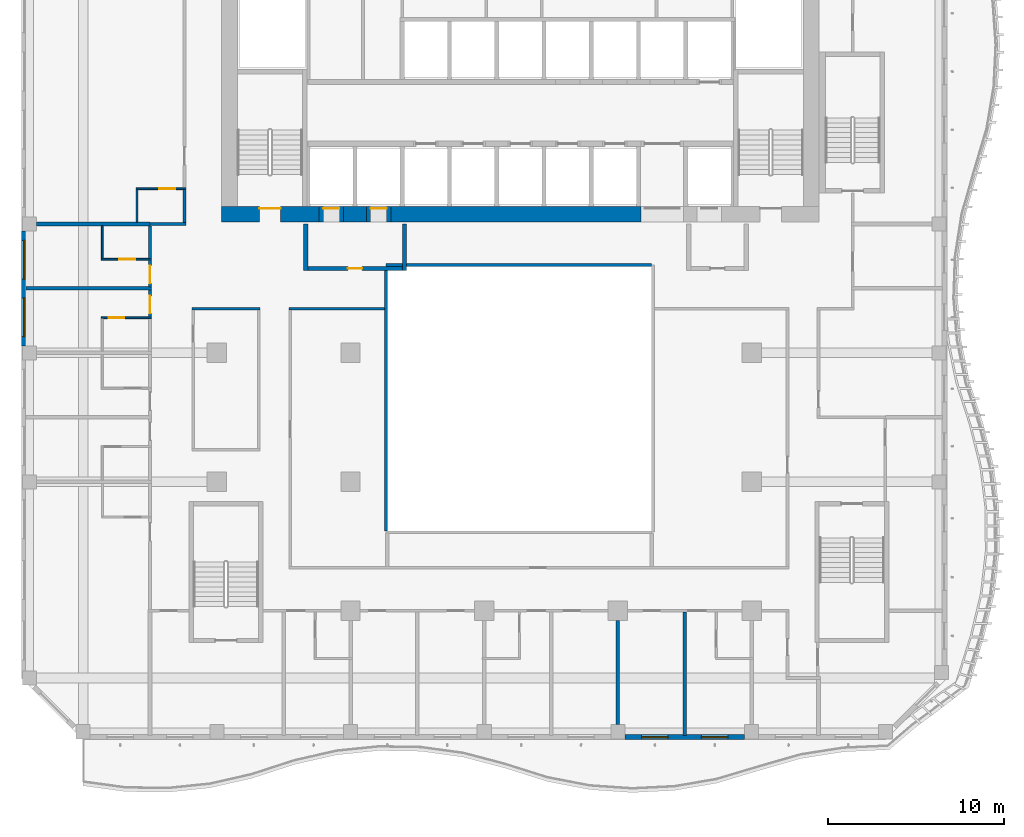
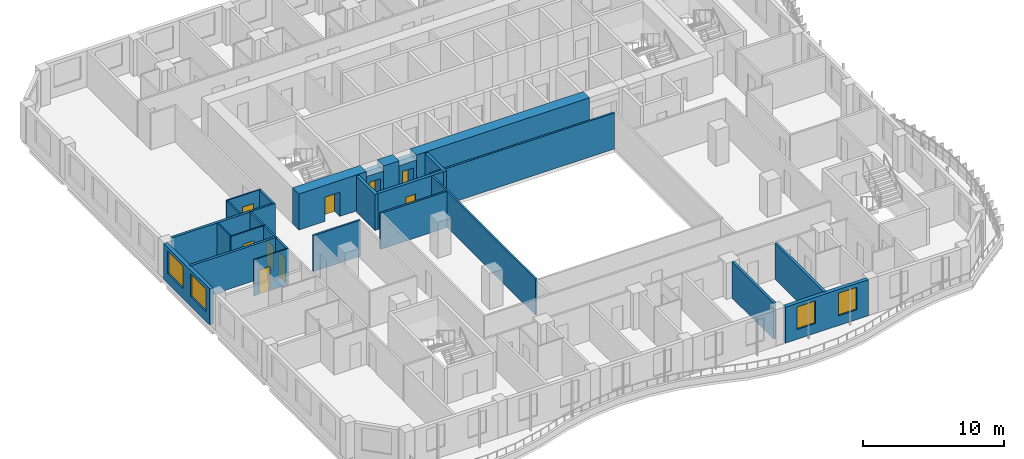
# One storey, part 4 of 22: 28 walls, 9 doors, 4 windows, 13 openings.
"""IFC4 building model written with IfcOpenShell, lengths in metres."""

import ifcopenshell
import ifcopenshell.guid

model = None  # the IFC model being written
_history = None  # IfcOwnerHistory: only IFC2X3 demands one
_inside = {}  # id of a spatial element -> (the spatial element, [elements in it])
_under = {}  # id of a project, library or spatial element -> (it, [spatial elements below it])
_declared = {}  # id of a project -> (the project, [libraries it declares])
_typed = {}  # id of a type object -> (the type object, [elements of that type])
_made_of = {}  # id of a material, layer set ... -> (it, [elements and type objects made of it])


def new_model(schema):
    """Start an empty IFC model of exactly this schema.

    Asked for "IFC4X3", IfcOpenShell would pick the latest addendum, in which some entities
    have other attributes; the version numbers below select the first issue.
    IFC2X3 requires an IfcOwnerHistory on every rooted entity: one is made here for all.
    """
    global model, _history
    if schema == "IFC4X3":
        model = ifcopenshell.file(schema_version=(4, 3, 0, 0))
    else:
        model = ifcopenshell.file(schema=schema)
    _inside.clear()
    _under.clear()
    _declared.clear()
    _typed.clear()
    _made_of.clear()
    _history = None
    if model.schema == "IFC2X3":
        org = make("IfcOrganization", Name="unknown")
        user = make(
            "IfcPersonAndOrganization",
            ThePerson=make("IfcPerson", FamilyName="unknown"),
            TheOrganization=org,
        )
        app = make(
            "IfcApplication",
            ApplicationDeveloper=org,
            Version="unknown",
            ApplicationFullName="unknown",
            ApplicationIdentifier="unknown",
        )
        _history = make(
            "IfcOwnerHistory",
            OwningUser=user,
            OwningApplication=app,
            ChangeAction="ADDED",
            CreationDate=0,
        )
    return model


def make(cls, **values):
    """One entity of the class cls with the attributes given. An attribute that is None is left unset."""
    return model.create_entity(
        cls, **{name: value for name, value in values.items() if value is not None}
    )


def rooted(cls, **values):
    """An entity with a GlobalId (a new one), such as an element, a storey or a relation."""
    return make(cls, GlobalId=ifcopenshell.guid.new(), OwnerHistory=_history, **values)


def si_unit(unit_type, name, prefix=None):
    """IfcSIUnit, for example si_unit("LENGTHUNIT", "METRE", prefix="MILLI")."""
    return make("IfcSIUnit", UnitType=unit_type, Prefix=prefix, Name=name)


def assignment(units):
    """IfcUnitAssignment: the units of a project."""
    return None if units is None else make("IfcUnitAssignment", Units=units)


def point(xyz):
    """IfcCartesianPoint."""
    return None if xyz is None else make("IfcCartesianPoint", Coordinates=xyz)


def direction(xyz):
    """IfcDirection."""
    return None if xyz is None else make("IfcDirection", DirectionRatios=xyz)


def frame(location, z_axis=None, x_axis=None):
    """IfcAxis2Placement3D, a coordinate frame: its origin and axes. An axis left out is left unset."""
    return make(
        "IfcAxis2Placement3D",
        Location=point(location),
        Axis=direction(z_axis),
        RefDirection=direction(x_axis),
    )


def frame_2d(location, x_axis=None):
    """IfcAxis2Placement2D, a coordinate frame in the plane: its origin and x axis."""
    return make(
        "IfcAxis2Placement2D", Location=point(location), RefDirection=direction(x_axis)
    )


def origin():
    """The frame at (0, 0, 0) with its axes left unset."""
    return frame((0.0, 0.0, 0.0))


def place(relative_to, where):
    """IfcLocalPlacement: puts the frame where relative to a parent placement (None: the world)."""
    return make(
        "IfcLocalPlacement", PlacementRelTo=relative_to, RelativePlacement=where
    )


def context(
    kind, dimensions, precision=None, world=None, true_north=None, identifier=None
):
    """IfcGeometricRepresentationContext, for example the 3D "Model" context."""
    return make(
        "IfcGeometricRepresentationContext",
        ContextIdentifier=identifier,
        ContextType=kind,
        CoordinateSpaceDimension=dimensions,
        Precision=precision,
        WorldCoordinateSystem=world,
        TrueNorth=true_north,
    )


def subcontext(parent, identifier, kind, view, scale=None):
    """IfcGeometricRepresentationSubContext, for example "Body" below "Model"."""
    return make(
        "IfcGeometricRepresentationSubContext",
        ContextIdentifier=identifier,
        ContextType=kind,
        ParentContext=parent,
        TargetScale=scale,
        TargetView=view,
    )


def project(units=None, contexts=None):
    """IfcProject with its units and contexts."""
    return rooted(
        "IfcProject",
        Name="project",
        RepresentationContexts=contexts,
        UnitsInContext=assignment(units),
    )


def spatial(cls, under=None, at=None, **own):
    """A site, building, storey or space (cls), placed at a placement, below another one or the project."""
    s = rooted(cls, ObjectPlacement=at, **own)
    if under is not None:
        _under.setdefault(under.id(), (under, []))[1].append(s)
    return s


def profile(cls, at=None, kind="AREA", **sizes):
    """A parametric profile (cls). Its sizes go by their IFC names, for example OverallWidth=200.0."""
    return make(cls, ProfileType=kind, Position=at, **sizes)


def rectangle(**sizes):
    """IfcRectangleProfileDef."""
    return profile("IfcRectangleProfileDef", **sizes)


def extrude(swept, where, along, depth):
    """IfcExtrudedAreaSolid: the profile swept, set in the frame where, extruded along a direction by depth."""
    return make(
        "IfcExtrudedAreaSolid",
        SweptArea=swept,
        Position=where,
        ExtrudedDirection=direction(along),
        Depth=depth,
    )


def shape(context_of_items, identifier, shape_type, items):
    """IfcShapeRepresentation: the items that make up one representation, for example the "Body"."""
    return make(
        "IfcShapeRepresentation",
        ContextOfItems=context_of_items,
        RepresentationIdentifier=identifier,
        RepresentationType=shape_type,
        Items=items,
    )


def source(mapping_origin, context_of_items, identifier, shape_type, items):
    """IfcRepresentationMap: a shape defined once, which mapped items show again and again."""
    return make(
        "IfcRepresentationMap",
        MappingOrigin=mapping_origin,
        MappedRepresentation=shape(context_of_items, identifier, shape_type, items),
    )


def transform(
    local_origin,
    x_axis=None,
    y_axis=None,
    z_axis=None,
    scale=None,
    scale2=None,
    scale3=None,
    uniform=True,
):
    """IfcCartesianTransformationOperator3D, or its non-uniform kind. x_axis, y_axis, z_axis: its Axis1, 2, 3."""
    if uniform:
        return make(
            "IfcCartesianTransformationOperator3D",
            Axis1=direction(x_axis),
            Axis2=direction(y_axis),
            LocalOrigin=point(local_origin),
            Scale=scale,
            Axis3=direction(z_axis),
        )
    return make(
        "IfcCartesianTransformationOperator3DnonUniform",
        Axis1=direction(x_axis),
        Axis2=direction(y_axis),
        LocalOrigin=point(local_origin),
        Scale=scale,
        Axis3=direction(z_axis),
        Scale2=scale2,
        Scale3=scale3,
    )


def mapped(mapping_source, mapping_target):
    """IfcMappedItem: shows the shape of a source again, moved by a transform."""
    return make(
        "IfcMappedItem", MappingSource=mapping_source, MappingTarget=mapping_target
    )


def material(Name=None, Category=None):
    """IfcMaterial."""
    return make("IfcMaterial", Name=Name, Category=Category)


def layer(
    of_material, thickness, ventilated=None, Name=None, Category=None, Priority=None
):
    """IfcMaterialLayer: one layer of a wall or slab, of a material (None: an air gap)."""
    return make(
        "IfcMaterialLayer",
        Material=of_material,
        LayerThickness=thickness,
        IsVentilated=ventilated,
        Name=Name,
        Category=Category,
        Priority=Priority,
    )


def layer_set(layers, Name=None):
    """IfcMaterialLayerSet."""
    return make("IfcMaterialLayerSet", MaterialLayers=layers, LayerSetName=Name)


def made_of(thing, what):
    """Note that an element or type object is made of a material, layer set ...; save() writes the relation."""
    if what is not None:
        _made_of.setdefault(what.id(), (what, []))[1].append(thing)
    return thing


def type_object(cls, material=None, **own):
    """A type object (cls), such as IfcWallType, which elements share."""
    return made_of(rooted(cls, **own), material)


def element(
    cls,
    number,
    at=None,
    inside=None,
    cuts=None,
    type_object=None,
    material=None,
    context=None,
    identifier="Body",
    shape_type=None,
    held_by="IfcProductDefinitionShape",
    body=None,
    shapes=None,
    **own,
):
    """One element of the class cls, such as IfcWall. Its Tag is "e" and its number.

    at: its placement. inside: the storey or other place that contains it. cuts: it is an
    opening in that element (IfcRelVoidsElement). A single representation is given by context,
    identifier, shape_type and body (its items); several are given by shapes. held_by: the class
    of the entity that holds the representations. save() writes the other relations.
    """
    e = rooted(cls, Tag="e%d" % number, ObjectPlacement=at, **own)
    if body is not None:
        shapes = [shape(context, identifier, shape_type, body)]
    if shapes is not None:
        e.Representation = make(held_by, Representations=shapes)
    if inside is not None:
        _inside.setdefault(inside.id(), (inside, []))[1].append(e)
    if cuts is not None:
        rooted(
            "IfcRelVoidsElement", RelatingBuildingElement=cuts, RelatedOpeningElement=e
        )
    if type_object is not None:
        _typed.setdefault(type_object.id(), (type_object, []))[1].append(e)
    return made_of(e, material)


def fill(opening, filler):
    """IfcRelFillsElement: the door or window that sits in an opening."""
    return rooted(
        "IfcRelFillsElement",
        RelatingOpeningElement=opening,
        RelatedBuildingElement=filler,
    )


def aggregate(whole, parts):
    """IfcRelAggregates: a whole, such as a stair, and the parts it consists of."""
    return rooted("IfcRelAggregates", RelatingObject=whole, RelatedObjects=parts)


def save(model, path):
    """Write the relations noted so far, then the file.

    IfcRelAggregates (storeys below a building ...), IfcRelContainedInSpatialStructure (elements
    in a storey), IfcRelDefinesByType, IfcRelAssociatesMaterial and IfcRelDeclares: one each for
    every whole, place, type object, material and project.
    """
    for whole, parts in _under.values():
        aggregate(whole, parts)
    for where, things in _inside.values():
        rooted(
            "IfcRelContainedInSpatialStructure",
            RelatedElements=things,
            RelatingStructure=where,
        )
    for kind, things in _typed.values():
        rooted("IfcRelDefinesByType", RelatedObjects=things, RelatingType=kind)
    for what, things in _made_of.values():
        rooted("IfcRelAssociatesMaterial", RelatedObjects=things, RelatingMaterial=what)
    for by, libraries in _declared.values():
        rooted("IfcRelDeclares", RelatingContext=by, RelatedDefinitions=libraries)
    model.write(path)


model = new_model("IFC4")

# Units and contexts
model_context = context("Model", 3, precision=1e-05, world=origin(), true_north=direction((0.0, 1.0)))
body_context = subcontext(model_context, "Body", "Model", "MODEL_VIEW")
ifc_project = project(units=[si_unit("LENGTHUNIT", "METRE"), si_unit("AREAUNIT", "SQUARE_METRE"), si_unit("VOLUMEUNIT", "CUBIC_METRE"), si_unit("PLANEANGLEUNIT", "RADIAN"), si_unit("MASSUNIT", "GRAM", prefix="KILO")], contexts=[model_context])

# Site, building, storey
site_placement = place(None, origin())
site = spatial("IfcSite", under=ifc_project, at=site_placement, CompositionType="ELEMENT")
building_placement = place(site_placement, origin())
building = spatial("IfcBuilding", under=site, at=building_placement, Name="Kilnfold Tower and Market Hall", CompositionType="ELEMENT")
storey_placement = place(building_placement, frame((0.0, 0.0, 143.89990234375)))
storey = spatial("IfcBuildingStorey", under=building, at=storey_placement, Name="L32", CompositionType="ELEMENT", Elevation=143.89990234375)

# Walls
ifc_material_1 = material(Name="Fire-resisting glazed screen")
ifc_layer_1 = layer(ifc_material_1, 0.14990234375)
ifc_layer_set_1 = layer_set([ifc_layer_1], Name="Fire-resisting glazed screen")
wall_type_1 = type_object("IfcWallType", Name="WALL ATRIUM 150", PredefinedType="PARTITIONING", material=ifc_layer_set_1)
wall_1_placement = place(storey_placement, frame((-6.574951171875, -9.39990234375, 0.0), z_axis=(0.0, 0.0, 1.0), x_axis=(0.0, 1.0, 0.0)))
element("IfcWall", 1, at=wall_1_placement, inside=storey, type_object=wall_type_1, Name="Partition LY21.129", PredefinedType="PARTITIONING", context=body_context, shape_type="SweptSolid", body=[
    extrude(rectangle(XDim=15.0, YDim=0.14990234375, at=frame_2d((7.5, 0.0))), origin(), (0.0, 0.0, 1.0), 3.1201171875),
])
wall_2_placement = place(storey_placement, frame((-6.574951171875, 5.675048828125, 0.0), z_axis=(0.0, 0.0, 1.0), x_axis=(1.0, 0.0, 0.0)))
element("IfcWall", 2, at=wall_2_placement, inside=storey, type_object=wall_type_1, Name="Partition LY21.130", PredefinedType="PARTITIONING", context=body_context, shape_type="SweptSolid", body=[
    extrude(rectangle(XDim=15.074951171875, YDim=0.14990234375, at=frame_2d((7.53759765625, 0.0))), origin(), (0.0, 0.0, 1.0), 3.1201171875),
])

# Wall, opening, door
ifc_material_2 = material(Name="Gypsum board on steel studs", Category="steel")
ifc_layer_2 = layer(ifc_material_2, 0.14990234375)
ifc_layer_set_2 = layer_set([ifc_layer_2], Name="Gypsum board on steel studs")
wall_type_2 = type_object("IfcWallType", Name="WALL CORRIDOR 150", PredefinedType="PARTITIONING", material=ifc_layer_set_2)
wall_3_placement = place(storey_placement, frame((-19.958984375, 2.72802734375, 0.0), z_axis=(0.0, 0.0, 1.0), x_axis=(0.0, 1.0, 0.0)))
wall_3 = element("IfcWall", 3, at=wall_3_placement, inside=storey, type_object=wall_type_2, Name="Partition LY21.16", PredefinedType="PARTITIONING", context=body_context, shape_type="SweptSolid", body=[
    extrude(rectangle(XDim=1.52587890625, YDim=0.14990234375, at=frame_2d((0.762939453125, 0.0))), origin(), (0.0, 0.0, 1.0), 3.1201171875),
])
opening_1_placement = place(wall_3_placement, frame((0.199951171875, 0.0, 0.0)))
opening_1 = element("IfcOpeningElement", 4, at=opening_1_placement, cuts=wall_3, Name="Opening D1", PredefinedType="OPENING", context=body_context, shape_type="SweptSolid", body=[
    extrude(rectangle(XDim=1.0, YDim=2.10009765625, at=frame_2d((0.5, 1.050048828125))), frame((0.0, 0.0849609375, 0.0), z_axis=(0.0, -1.0, 0.0), x_axis=(1.0, 0.0, 0.0)), (0.0, 0.0, 1.0), 0.169921875),
])
ifc_material_3 = material(Name="Timber veneer door leaf in steel frame", Category="steel")
door_type_1 = type_object("IfcDoorType", Name="DOOR ENTRY 1000 X2100", OperationType="NOTDEFINED", PredefinedType="DOOR", material=ifc_material_3)
door_1_placement = place(opening_1_placement, origin())
door_1 = element("IfcDoor", 5, at=door_1_placement, inside=storey, type_object=door_type_1, Name="Door D1", OperationType="SINGLE_SWING_RIGHT", OverallHeight=2.10009765625, OverallWidth=1.0, PredefinedType="DOOR", context=body_context, shape_type="SweptSolid", body=[
    extrude(rectangle(XDim=1.0, YDim=2.10009765625, at=frame_2d((0.5, 1.050048828125))), frame((0.0, 0.02490234375, 0.0), z_axis=(0.0, -1.0, 0.0), x_axis=(1.0, 0.0, 0.0)), (0.0, 0.0, 1.0), 0.050048828125),
])
fill(opening_1, door_1)

wall_4_placement = place(storey_placement, frame((-19.958984375, 4.43408203125, 0.0), z_axis=(0.0, 0.0, 1.0), x_axis=(0.0, 1.0, 0.0)))
wall_4 = element("IfcWall", 6, at=wall_4_placement, inside=storey, type_object=wall_type_2, Name="Partition LY21.18", PredefinedType="PARTITIONING", context=body_context, shape_type="SweptSolid", body=[
    extrude(rectangle(XDim=1.52587890625, YDim=0.14990234375, at=frame_2d((0.762939453125, 0.0))), origin(), (0.0, 0.0, 1.0), 3.1201171875),
])
opening_2_placement = place(wall_4_placement, frame((0.199951171875, 0.0, 0.0)))
opening_2 = element("IfcOpeningElement", 7, at=opening_2_placement, cuts=wall_4, Name="Opening D1", PredefinedType="OPENING", context=body_context, shape_type="SweptSolid", body=[
    extrude(rectangle(XDim=1.0, YDim=2.10009765625, at=frame_2d((0.5, 1.050048828125))), frame((0.0, 0.0849609375, 0.0), z_axis=(0.0, -1.0, 0.0), x_axis=(1.0, 0.0, 0.0)), (0.0, 0.0, 1.0), 0.169921875),
])
door_2_placement = place(opening_2_placement, origin())
door_2 = element("IfcDoor", 8, at=door_2_placement, inside=storey, type_object=door_type_1, Name="Door D1", OperationType="SINGLE_SWING_RIGHT", OverallHeight=2.10009765625, OverallWidth=1.0, PredefinedType="DOOR", context=body_context, shape_type="SweptSolid", body=[
    extrude(rectangle(XDim=1.0, YDim=2.10009765625, at=frame_2d((0.5, 1.050048828125))), frame((0.0, 0.02490234375, 0.0), z_axis=(0.0, -1.0, 0.0), x_axis=(1.0, 0.0, 0.0)), (0.0, 0.0, 1.0), 0.050048828125),
])
fill(opening_2, door_2)

# Walls
wall_5_placement = place(storey_placement, frame((-19.958984375, 6.0400390625, 0.0), z_axis=(0.0, 0.0, 1.0), x_axis=(0.0, 1.0, 0.0)))
element("IfcWall", 9, at=wall_5_placement, inside=storey, type_object=wall_type_2, Name="Partition LY21.19", PredefinedType="PARTITIONING", context=body_context, shape_type="SweptSolid", body=[
    extrude(rectangle(XDim=1.85986328125, YDim=0.14990234375, at=frame_2d((0.929931640625, 0.0))), origin(), (0.0, 0.0, 1.0), 3.1201171875),
])
wall_6_placement = place(storey_placement, frame((-17.925048828125, 8.0, 0.0), z_axis=(0.0, 0.0, 1.0), x_axis=(-1.0, 0.0, 0.0)))
element("IfcWall", 10, at=wall_6_placement, inside=storey, type_object=wall_type_2, Name="Partition LY21.23", PredefinedType="PARTITIONING", context=body_context, shape_type="SweptSolid", body=[
    extrude(rectangle(XDim=2.033935546875, YDim=0.14990234375, at=frame_2d((1.01708984375, 0.0))), origin(), (0.0, 0.0, 1.0), 3.1201171875),
])
wall_7_placement = place(storey_placement, frame((-18.0, 8.074951171875, 0.0), z_axis=(0.0, 0.0, 1.0), x_axis=(0.0, 1.0, 0.0)))
element("IfcWall", 11, at=wall_7_placement, inside=storey, type_object=wall_type_2, Name="Partition LY21.24", PredefinedType="PARTITIONING", context=body_context, shape_type="SweptSolid", body=[
    extrude(rectangle(XDim=1.885009765625, YDim=0.14990234375, at=frame_2d((0.9423828125, 0.0))), origin(), (0.0, 0.0, 1.0), 3.1201171875),
])
wall_8_placement = place(storey_placement, frame((-12.074951171875, 3.199951171875, 0.0), z_axis=(0.0, 0.0, 1.0), x_axis=(1.0, 0.0, 0.0)))
element("IfcWall", 12, at=wall_8_placement, inside=storey, type_object=wall_type_2, Name="Partition LY21.36", PredefinedType="PARTITIONING", context=body_context, shape_type="SweptSolid", body=[
    extrude(rectangle(XDim=5.425048828125, YDim=0.14990234375, at=frame_2d((2.71240234375, 0.0))), origin(), (0.0, 0.0, 1.0), 3.1201171875),
])
wall_9_placement = place(storey_placement, frame((-17.574951171875, 3.199951171875, 0.0), z_axis=(0.0, 0.0, 1.0), x_axis=(1.0, 0.0, 0.0)))
element("IfcWall", 13, at=wall_9_placement, inside=storey, type_object=wall_type_2, Name="Partition LY21.39", PredefinedType="PARTITIONING", context=body_context, shape_type="SweptSolid", body=[
    extrude(rectangle(XDim=3.849853515625, YDim=0.14990234375, at=frame_2d((1.9248046875, 0.0))), origin(), (0.0, 0.0, 1.0), 3.1201171875),
])

# Wall, opening, door
ifc_material_4 = material(Name="Gypsum board on steel studs", Category="steel")
ifc_layer_3 = layer(ifc_material_4, 0.10009765625)
ifc_layer_set_3 = layer_set([ifc_layer_3], Name="Gypsum board on steel studs")
wall_type_3 = type_object("IfcWallType", Name="WALL PARTITION 100", PredefinedType="PARTITIONING", material=ifc_layer_set_3)
wall_10_placement = place(storey_placement, frame((-22.7109375, 2.68798828125, 0.0), z_axis=(0.0, 0.0, 1.0), x_axis=(1.0, 0.0, 0.0)))
wall_10 = element("IfcWall", 14, at=wall_10_placement, inside=storey, type_object=wall_type_3, Name="Partition LY21.74", PredefinedType="PARTITIONING", context=body_context, shape_type="SweptSolid", body=[
    extrude(rectangle(XDim=2.824951171875, YDim=0.10009765625, at=frame_2d((1.41259765625, 0.0))), origin(), (0.0, 0.0, 1.0), 3.1201171875),
])
opening_3_placement = place(wall_10_placement, frame((0.403076171875, 0.0, 0.0)))
opening_3 = element("IfcOpeningElement", 15, at=opening_3_placement, cuts=wall_10, Name="Opening D3", PredefinedType="OPENING", context=body_context, shape_type="SweptSolid", body=[
    extrude(rectangle(XDim=0.89990234375, YDim=2.10009765625, at=frame_2d((0.449951171875, 1.050048828125))), frame((0.0, 0.06005859375, 0.0), z_axis=(0.0, -1.0, 0.0), x_axis=(1.0, 0.0, 0.0)), (0.0, 0.0, 1.0), 0.1201171875),
])
ifc_material_5 = material(Name="Timber veneer door leaf in steel frame", Category="steel")
door_type_2 = type_object("IfcDoorType", Name="DOOR WC 900 X2100", OperationType="NOTDEFINED", PredefinedType="DOOR", material=ifc_material_5)
door_3_placement = place(opening_3_placement, origin())
door_3 = element("IfcDoor", 16, at=door_3_placement, inside=storey, type_object=door_type_2, Name="Door D3", OperationType="SINGLE_SWING_LEFT", OverallHeight=2.10009765625, OverallWidth=0.89990234375, PredefinedType="DOOR", context=body_context, shape_type="SweptSolid", body=[
    extrude(rectangle(XDim=0.89990234375, YDim=2.10009765625, at=frame_2d((0.449951171875, 1.050048828125))), frame((0.0, 0.02490234375, 0.0), z_axis=(0.0, -1.0, 0.0), x_axis=(1.0, 0.0, 0.0)), (0.0, 0.0, 1.0), 0.050048828125),
])
fill(opening_3, door_3)

wall_11_placement = place(storey_placement, frame((-19.885986328125, 6.0, 0.0), z_axis=(0.0, 0.0, 1.0), x_axis=(-1.0, 0.0, 0.0)))
wall_11 = element("IfcWall", 17, at=wall_11_placement, inside=storey, type_object=wall_type_3, Name="Partition LY21.77", PredefinedType="PARTITIONING", context=body_context, shape_type="SweptSolid", body=[
    extrude(rectangle(XDim=2.824951171875, YDim=0.10009765625, at=frame_2d((1.41259765625, 0.0))), origin(), (0.0, 0.0, 1.0), 3.1201171875),
])
opening_4_placement = place(wall_11_placement, frame((0.912109375, 0.0, 0.0)))
opening_4 = element("IfcOpeningElement", 18, at=opening_4_placement, cuts=wall_11, Name="Opening D3", PredefinedType="OPENING", context=body_context, shape_type="SweptSolid", body=[
    extrude(rectangle(XDim=0.89990234375, YDim=2.10009765625, at=frame_2d((0.449951171875, 1.050048828125))), frame((0.0, 0.06005859375, 0.0), z_axis=(0.0, -1.0, 0.0), x_axis=(1.0, 0.0, 0.0)), (0.0, 0.0, 1.0), 0.1201171875),
])
door_4_placement = place(opening_4_placement, origin())
door_4 = element("IfcDoor", 19, at=door_4_placement, inside=storey, type_object=door_type_2, Name="Door D3", OperationType="SINGLE_SWING_RIGHT", OverallHeight=2.10009765625, OverallWidth=0.89990234375, PredefinedType="DOOR", context=body_context, shape_type="SweptSolid", body=[
    extrude(rectangle(XDim=0.89990234375, YDim=2.10009765625, at=frame_2d((0.449951171875, 1.050048828125))), frame((0.0, 0.02490234375, 0.0), z_axis=(0.0, -1.0, 0.0), x_axis=(1.0, 0.0, 0.0)), (0.0, 0.0, 1.0), 0.050048828125),
])
fill(opening_4, door_4)

# Wall
wall_12_placement = place(storey_placement, frame((-22.660888671875, 6.050048828125, 0.0), z_axis=(0.0, 0.0, 1.0), x_axis=(0.0, 1.0, 0.0)))
element("IfcWall", 20, at=wall_12_placement, inside=storey, type_object=wall_type_3, Name="Partition LY21.78", PredefinedType="PARTITIONING", context=body_context, shape_type="SweptSolid", body=[
    extrude(rectangle(XDim=1.849853515625, YDim=0.10009765625, at=frame_2d((0.9248046875, 0.0))), origin(), (0.0, 0.0, 1.0), 3.1201171875),
])

# Wall, opening, door
wall_13_placement = place(storey_placement, frame((-20.751953125, 10.0, 0.0), z_axis=(0.0, 0.0, 1.0), x_axis=(1.0, 0.0, 0.0)))
wall_13 = element("IfcWall", 21, at=wall_13_placement, inside=storey, type_object=wall_type_3, Name="Partition LY21.80", PredefinedType="PARTITIONING", context=body_context, shape_type="SweptSolid", body=[
    extrude(rectangle(XDim=2.824951171875, YDim=0.10009765625, at=frame_2d((1.41259765625, 0.0))), origin(), (0.0, 0.0, 1.0), 3.1201171875),
])
opening_5_placement = place(wall_13_placement, frame((1.318115234375, 0.0, 0.0)))
opening_5 = element("IfcOpeningElement", 22, at=opening_5_placement, cuts=wall_13, Name="Opening D3", PredefinedType="OPENING", context=body_context, shape_type="SweptSolid", body=[
    extrude(rectangle(XDim=0.89990234375, YDim=2.10009765625, at=frame_2d((0.449951171875, 1.050048828125))), frame((0.0, 0.06005859375, 0.0), z_axis=(0.0, -1.0, 0.0), x_axis=(1.0, 0.0, 0.0)), (0.0, 0.0, 1.0), 0.1201171875),
])
door_5_placement = place(opening_5_placement, origin())
door_5 = element("IfcDoor", 23, at=door_5_placement, inside=storey, type_object=door_type_2, Name="Door D3", OperationType="SINGLE_SWING_RIGHT", OverallHeight=2.10009765625, OverallWidth=0.89990234375, PredefinedType="DOOR", context=body_context, shape_type="SweptSolid", body=[
    extrude(rectangle(XDim=0.89990234375, YDim=2.10009765625, at=frame_2d((0.449951171875, 1.050048828125))), frame((0.0, 0.02490234375, 0.0), z_axis=(0.0, -1.0, 0.0), x_axis=(1.0, 0.0, 0.0)), (0.0, 0.0, 1.0), 0.050048828125),
])
fill(opening_5, door_5)

# Walls
wall_14_placement = place(storey_placement, frame((-20.701904296875, 8.10009765625, 0.0), z_axis=(0.0, 0.0, 1.0), x_axis=(0.0, 1.0, 0.0)))
element("IfcWall", 24, at=wall_14_placement, inside=storey, type_object=wall_type_3, Name="Partition LY21.81", PredefinedType="PARTITIONING", context=body_context, shape_type="SweptSolid", body=[
    extrude(rectangle(XDim=1.849853515625, YDim=0.10009765625, at=frame_2d((0.9248046875, 0.0))), origin(), (0.0, 0.0, 1.0), 3.1201171875),
])
ifc_material_6 = material(Name="Gypsum board on steel studs", Category="steel")
ifc_layer_4 = layer(ifc_material_6, 0.199951171875)
ifc_layer_set_4 = layer_set([ifc_layer_4], Name="Gypsum board on steel studs")
wall_type_4 = type_object("IfcWallType", Name="WALL PARTY 200", PredefinedType="PARTITIONING", material=ifc_layer_set_4)
wall_15_placement = place(storey_placement, frame((6.5830078125, -20.39990234375, 0.0), z_axis=(0.0, 0.0, 1.0), x_axis=(0.0, 1.0, 0.0)))
element("IfcWall", 25, at=wall_15_placement, inside=storey, type_object=wall_type_4, Name="Partition LY21.57", PredefinedType="PARTITIONING", context=body_context, shape_type="SweptSolid", body=[
    extrude(rectangle(XDim=5.911865234375, YDim=0.199951171875, at=frame_2d((2.9560546875, 0.0))), origin(), (0.0, 0.0, 1.0), 3.1201171875),
])
wall_16_placement = place(storey_placement, frame((10.375, -21.0, 0.0), z_axis=(0.0, 0.0, 1.0), x_axis=(0.0, 1.0, 0.0)))
element("IfcWall", 26, at=wall_16_placement, inside=storey, type_object=wall_type_4, Name="Partition LY21.58", PredefinedType="PARTITIONING", context=body_context, shape_type="SweptSolid", body=[
    extrude(rectangle(XDim=6.985107421875, YDim=0.199951171875, at=frame_2d((3.49267578125, 0.0))), origin(), (0.0, 0.0, 1.0), 3.1201171875),
])
wall_17_placement = place(storey_placement, frame((-27.0, 4.343994140625, 0.0), z_axis=(0.0, 0.0, 1.0), x_axis=(1.0, 0.0, 0.0)))
element("IfcWall", 27, at=wall_17_placement, inside=storey, type_object=wall_type_4, Name="Partition LY21.76", PredefinedType="PARTITIONING", context=body_context, shape_type="SweptSolid", body=[
    extrude(rectangle(XDim=7.114013671875, YDim=0.199951171875, at=frame_2d((3.55712890625, 0.0))), origin(), (0.0, 0.0, 1.0), 3.1201171875),
])
wall_18_placement = place(storey_placement, frame((-26.39990234375, 8.0, 0.0), z_axis=(0.0, 0.0, 1.0), x_axis=(1.0, 0.0, 0.0)))
element("IfcWall", 28, at=wall_18_placement, inside=storey, type_object=wall_type_4, Name="Partition LY21.79", PredefinedType="PARTITIONING", context=body_context, shape_type="SweptSolid", body=[
    extrude(rectangle(XDim=6.43896484375, YDim=0.199951171875, at=frame_2d((3.219482421875, 0.0))), origin(), (0.0, 0.0, 1.0), 3.1201171875),
])

# Wall, opening, door
ifc_material_7 = material(Name="Concrete C70", Category="concrete")
ifc_layer_5 = layer(ifc_material_7, 0.89990234375)
ifc_layer_set_5 = layer_set([ifc_layer_5], Name="Concrete C70")
wall_type_5 = type_object("IfcWallType", Name="CORE WALL 900 C70", PredefinedType="SHEAR", material=ifc_layer_set_5)
shared_shape_1 = source(origin(), body_context, "Body", "SweptSolid", [
    extrude(rectangle(XDim=5.52978515625, YDim=0.89990234375, at=frame_2d((2.764892578125, 0.0))), origin(), (0.0, 0.0, 1.0), 3.1201171875),
])
wall_19_placement = place(storey_placement, frame((-15.89990234375, 8.550048828125, 0.0), z_axis=(0.0, 0.0, 1.0), x_axis=(1.0, 0.0, 0.0)))
wall_19 = element("IfcWall", 29, at=wall_19_placement, inside=storey, type_object=wall_type_5, Name="Core outer wall south", PredefinedType="SHEAR", context=body_context, shape_type="MappedRepresentation", body=[
    mapped(shared_shape_1, transform((0.0, 0.0, 0.0))),
])
opening_6_placement = place(wall_19_placement, frame((2.14990234375, 0.0, 0.0)))
opening_6 = element("IfcOpeningElement", 30, at=opening_6_placement, cuts=wall_19, Name="Opening SD1", PredefinedType="OPENING", context=body_context, shape_type="SweptSolid", body=[
    extrude(rectangle(XDim=1.199951171875, YDim=2.10009765625, at=frame_2d((0.60009765625, 1.050048828125))), frame((0.0, 0.4599609375, 0.0), z_axis=(0.0, -1.0, 0.0), x_axis=(1.0, 0.0, 0.0)), (0.0, 0.0, 1.0), 0.919921875),
])
ifc_material_8 = material(Name="Steel door set with fire-resisting leaf", Category="steel")
door_type_3 = type_object("IfcDoorType", Name="STAIR FLOOR DOOR 1200X2100", OperationType="NOTDEFINED", PredefinedType="DOOR", material=ifc_material_8)
door_6_placement = place(opening_6_placement, origin())
door_6 = element("IfcDoor", 31, at=door_6_placement, inside=storey, type_object=door_type_3, Name="Exit stair ST1 door", OperationType="DOUBLE_DOOR_SINGLE_SWING", OverallHeight=2.10009765625, OverallWidth=1.199951171875, PredefinedType="DOOR", context=body_context, shape_type="SweptSolid", body=[
    extrude(rectangle(XDim=1.199951171875, YDim=2.10009765625, at=frame_2d((0.60009765625, 1.050048828125))), frame((0.0, 0.35498046875, 0.0), z_axis=(0.0, -1.0, 0.0), x_axis=(1.0, 0.0, 0.0)), (0.0, 0.0, 1.0), 0.050048828125),
])
fill(opening_6, door_6)

# Walls
shared_shape_2 = source(origin(), body_context, "Body", "SweptSolid", [
    extrude(rectangle(XDim=1.280029296875, YDim=0.89990234375, at=frame_2d((0.64013671875, 0.0))), origin(), (0.0, 0.0, 1.0), 3.1201171875),
])
wall_20_placement = place(storey_placement, frame((-8.969970703125, 8.550048828125, 0.0), z_axis=(0.0, 0.0, 1.0), x_axis=(1.0, 0.0, 0.0)))
element("IfcWall", 32, at=wall_20_placement, inside=storey, type_object=wall_type_5, Name="Core outer wall south", PredefinedType="SHEAR", context=body_context, shape_type="MappedRepresentation", body=[
    mapped(shared_shape_2, transform((0.0, 0.0, 0.0))),
])
shared_shape_3 = source(origin(), body_context, "Body", "SweptSolid", [
    extrude(rectangle(XDim=14.179931640625, YDim=0.89990234375, at=frame_2d((7.08984375, 0.0))), origin(), (0.0, 0.0, 1.0), 3.1201171875),
])
wall_21_placement = place(storey_placement, frame((-6.2900390625, 8.550048828125, 0.0), z_axis=(0.0, 0.0, 1.0), x_axis=(1.0, 0.0, 0.0)))
element("IfcWall", 33, at=wall_21_placement, inside=storey, type_object=wall_type_5, Name="Core outer wall south", PredefinedType="SHEAR", context=body_context, shape_type="MappedRepresentation", body=[
    mapped(shared_shape_3, transform((0.0, 0.0, 0.0))),
])

# Wall, openings, windows
ifc_material_9 = material(Name="Precast concrete C50/60", Category="concrete")
ifc_layer_6 = layer(ifc_material_9, 0.300048828125)
ifc_layer_set_6 = layer_set([ifc_layer_6], Name="Precast concrete C50/60")
wall_type_6 = type_object("IfcWallType", Name="PRECAST WALL 300", PredefinedType="SOLIDWALL", material=ifc_layer_set_6)
shared_shape_4 = source(origin(), body_context, "Body", "SweptSolid", [
    extrude(rectangle(XDim=6.783203125, YDim=0.300048828125, at=frame_2d((3.3916015625, 0.0))), origin(), (0.0, 0.0, 1.0), 3.1201171875),
])
wall_22_placement = place(storey_placement, frame((6.9833984375, -21.10009765625, 0.0), z_axis=(0.0, 0.0, 1.0), x_axis=(1.0, 0.0, 0.0)))
wall_22 = element("IfcWall", 34, at=wall_22_placement, inside=storey, type_object=wall_type_6, Name="External wall L32 S", PredefinedType="SOLIDWALL", context=body_context, shape_type="MappedRepresentation", body=[
    mapped(shared_shape_4, transform((0.0, 0.0, 0.0))),
])
opening_7_placement = place(wall_22_placement, frame((0.94580078125, 0.0, 0.85009765625)))
opening_7 = element("IfcOpeningElement", 35, at=opening_7_placement, cuts=wall_22, Name="Opening W4", PredefinedType="OPENING", context=body_context, shape_type="SweptSolid", body=[
    extrude(rectangle(XDim=1.5, YDim=1.949951171875, at=frame_2d((0.75, 0.97509765625))), frame((0.0, 0.16015625, 0.0), z_axis=(0.0, -1.0, 0.0), x_axis=(1.0, 0.0, 0.0)), (0.0, 0.0, 1.0), 0.320068359375),
])
opening_8_placement = place(wall_22_placement, frame((4.337646484375, 0.0, 0.85009765625)))
opening_8 = element("IfcOpeningElement", 36, at=opening_8_placement, cuts=wall_22, Name="Opening W4", PredefinedType="OPENING", context=body_context, shape_type="SweptSolid", body=[
    extrude(rectangle(XDim=1.5, YDim=1.949951171875, at=frame_2d((0.75, 0.97509765625))), frame((0.0, 0.16015625, 0.0), z_axis=(0.0, -1.0, 0.0), x_axis=(1.0, 0.0, 0.0)), (0.0, 0.0, 1.0), 0.320068359375),
])
ifc_material_10 = material(Name="Aluminium frame and double glazing", Category="aluminium")
window_type_1 = type_object("IfcWindowType", Name="WINDOW W4 1500X1950", PartitioningType="SINGLE_PANEL", PredefinedType="WINDOW", material=ifc_material_10)
window_1_placement = place(opening_7_placement, origin())
window_1 = element("IfcWindow", 37, at=window_1_placement, inside=storey, type_object=window_type_1, Name="Window W4 L32 S-1", OverallHeight=1.949951171875, OverallWidth=1.5, PartitioningType="SINGLE_PANEL", PredefinedType="WINDOW", context=body_context, shape_type="SweptSolid", body=[
    extrude(rectangle(XDim=1.5, YDim=1.949951171875, at=frame_2d((0.75, 0.97509765625))), frame((0.0, 0.030029296875, 0.0), z_axis=(0.0, -1.0, 0.0), x_axis=(1.0, 0.0, 0.0)), (0.0, 0.0, 1.0), 0.06005859375),
])
fill(opening_7, window_1)
window_2_placement = place(opening_8_placement, origin())
window_2 = element("IfcWindow", 38, at=window_2_placement, inside=storey, type_object=window_type_1, Name="Window W4 L32 S-2", OverallHeight=1.949951171875, OverallWidth=1.5, PartitioningType="SINGLE_PANEL", PredefinedType="WINDOW", context=body_context, shape_type="SweptSolid", body=[
    extrude(rectangle(XDim=1.5, YDim=1.949951171875, at=frame_2d((0.75, 0.97509765625))), frame((0.0, 0.030029296875, 0.0), z_axis=(0.0, -1.0, 0.0), x_axis=(1.0, 0.0, 0.0)), (0.0, 0.0, 1.0), 0.06005859375),
])
fill(opening_8, window_2)

shared_shape_5 = source(origin(), body_context, "Body", "SweptSolid", [
    extrude(rectangle(XDim=6.5126953125, YDim=0.300048828125, at=frame_2d((3.25634765625, 0.0))), origin(), (0.0, 0.0, 1.0), 3.1201171875),
])
wall_23_placement = place(storey_placement, frame((-27.10009765625, 7.60009765625, 0.0), z_axis=(0.0, 0.0, 1.0), x_axis=(0.0, -1.0, 0.0)))
wall_23 = element("IfcWall", 39, at=wall_23_placement, inside=storey, type_object=wall_type_6, Name="External wall L32 W", PredefinedType="SOLIDWALL", context=body_context, shape_type="MappedRepresentation", body=[
    mapped(shared_shape_5, transform((0.0, 0.0, 0.0))),
])
opening_9_placement = place(wall_23_placement, frame((0.528076171875, 0.0, 0.85009765625)))
opening_9 = element("IfcOpeningElement", 40, at=opening_9_placement, cuts=wall_23, Name="Opening W2", PredefinedType="OPENING", context=body_context, shape_type="SweptSolid", body=[
    extrude(rectangle(XDim=2.199951171875, YDim=1.949951171875, at=frame_2d((1.10009765625, 0.97509765625))), frame((0.0, 0.16015625, 0.0), z_axis=(0.0, -1.0, 0.0), x_axis=(1.0, 0.0, 0.0)), (0.0, 0.0, 1.0), 0.320068359375),
])
opening_10_placement = place(wall_23_placement, frame((3.784423828125, 0.0, 0.85009765625)))
opening_10 = element("IfcOpeningElement", 41, at=opening_10_placement, cuts=wall_23, Name="Opening W2", PredefinedType="OPENING", context=body_context, shape_type="SweptSolid", body=[
    extrude(rectangle(XDim=2.199951171875, YDim=1.949951171875, at=frame_2d((1.10009765625, 0.97509765625))), frame((0.0, 0.16015625, 0.0), z_axis=(0.0, -1.0, 0.0), x_axis=(1.0, 0.0, 0.0)), (0.0, 0.0, 1.0), 0.320068359375),
])
ifc_material_11 = material(Name="Aluminium frame and double glazing", Category="aluminium")
window_type_2 = type_object("IfcWindowType", Name="WINDOW W2 2200X1950", PartitioningType="SINGLE_PANEL", PredefinedType="WINDOW", material=ifc_material_11)
window_3_placement = place(opening_9_placement, origin())
window_3 = element("IfcWindow", 42, at=window_3_placement, inside=storey, type_object=window_type_2, Name="Window W2 L32 W-1", OverallHeight=1.949951171875, OverallWidth=2.199951171875, PartitioningType="SINGLE_PANEL", PredefinedType="WINDOW", context=body_context, shape_type="SweptSolid", body=[
    extrude(rectangle(XDim=2.199951171875, YDim=1.949951171875, at=frame_2d((1.10009765625, 0.97509765625))), frame((0.0, 0.030029296875, 0.0), z_axis=(0.0, -1.0, 0.0), x_axis=(1.0, 0.0, 0.0)), (0.0, 0.0, 1.0), 0.06005859375),
])
fill(opening_9, window_3)
window_4_placement = place(opening_10_placement, origin())
window_4 = element("IfcWindow", 43, at=window_4_placement, inside=storey, type_object=window_type_2, Name="Window W2 L32 W-2", OverallHeight=1.949951171875, OverallWidth=2.199951171875, PartitioningType="SINGLE_PANEL", PredefinedType="WINDOW", context=body_context, shape_type="SweptSolid", body=[
    extrude(rectangle(XDim=2.199951171875, YDim=1.949951171875, at=frame_2d((1.10009765625, 0.97509765625))), frame((0.0, 0.030029296875, 0.0), z_axis=(0.0, -1.0, 0.0), x_axis=(1.0, 0.0, 0.0)), (0.0, 0.0, 1.0), 0.06005859375),
])
fill(opening_10, window_4)

# Walls
ifc_material_12 = material(Name="Gypsum shaft wall system")
ifc_layer_7 = layer(ifc_material_12, 0.25)
ifc_layer_set_7 = layer_set([ifc_layer_7], Name="Gypsum shaft wall system")
wall_type_7 = type_object("IfcWallType", Name="LOBBY WALL 250", PredefinedType="PARTITIONING", material=ifc_layer_set_7)
shared_shape_6 = source(origin(), body_context, "Body", "SweptSolid", [
    extrude(rectangle(XDim=2.64990234375, YDim=0.25, at=frame_2d((1.324951171875, 0.0))), origin(), (0.0, 0.0, 1.0), 3.1201171875),
])
for number, where, z_axis, x_axis, name in (
    (44, (-11.135009765625, 5.35009765625, 0.0), (0.0, 0.0, 1.0), (0.0, 1.0, 0.0), "Firefighting lobby wall"),
    (45, (-5.52490234375, 5.35009765625, 0.0), (0.0, 0.0, 1.0), (0.0, 1.0, 0.0), "Firefighting lobby wall"),
):
    element("IfcWall", number, at=place(storey_placement, frame(where, z_axis=z_axis, x_axis=x_axis)), inside=storey, type_object=wall_type_7, Name=name, PredefinedType="PARTITIONING", context=body_context, shape_type="MappedRepresentation", body=[
        mapped(shared_shape_6, transform((0.0, 0.0, 0.0))),
    ])

# Wall, opening, door
shared_shape_7 = source(origin(), body_context, "Body", "SweptSolid", [
    extrude(rectangle(XDim=5.360107421875, YDim=0.25, at=frame_2d((2.68017578125, 0.0))), origin(), (0.0, 0.0, 1.0), 3.1201171875),
])
wall_24_placement = place(storey_placement, frame((-11.010009765625, 5.47509765625, 0.0), z_axis=(0.0, 0.0, 1.0), x_axis=(1.0, 0.0, 0.0)))
wall_24 = element("IfcWall", 46, at=wall_24_placement, inside=storey, type_object=wall_type_7, Name="Firefighting lobby wall", PredefinedType="PARTITIONING", context=body_context, shape_type="MappedRepresentation", body=[
    mapped(shared_shape_7, transform((0.0, 0.0, 0.0))),
])
opening_11_placement = place(wall_24_placement, frame((2.280029296875, 0.0, 0.0)))
opening_11 = element("IfcOpeningElement", 47, at=opening_11_placement, cuts=wall_24, Name="Opening VD1", PredefinedType="OPENING", context=body_context, shape_type="SweptSolid", body=[
    extrude(rectangle(XDim=0.800048828125, YDim=2.0, at=frame_2d((0.39990234375, 1.0))), frame((0.0, 0.135009765625, 0.0), z_axis=(0.0, -1.0, 0.0), x_axis=(1.0, 0.0, 0.0)), (0.0, 0.0, 1.0), 0.27001953125),
])
ifc_material_13 = material(Name="Steel door set with fire-resisting leaf", Category="steel")
door_type_4 = type_object("IfcDoorType", Name="FIREFIGHTING LOBBY DOOR 800X2000", OperationType="NOTDEFINED", PredefinedType="DOOR", material=ifc_material_13)
door_7_placement = place(opening_11_placement, origin())
door_7 = element("IfcDoor", 48, at=door_7_placement, inside=storey, type_object=door_type_4, Name="Firefighting lobby door", OperationType="SINGLE_SWING_LEFT", OverallHeight=2.0, OverallWidth=0.800048828125, PredefinedType="DOOR", context=body_context, shape_type="SweptSolid", body=[
    extrude(rectangle(XDim=0.800048828125, YDim=2.0, at=frame_2d((0.39990234375, 1.0))), frame((0.0, 0.02490234375, 0.0), z_axis=(0.0, -1.0, 0.0), x_axis=(1.0, 0.0, 0.0)), (0.0, 0.0, 1.0), 0.050048828125),
])
fill(opening_11, door_7)

ifc_material_14 = material(Name="Gypsum shaft wall system")
ifc_layer_8 = layer(ifc_material_14, 0.89990234375)
ifc_layer_set_8 = layer_set([ifc_layer_8], Name="Gypsum shaft wall system")
wall_type_8 = type_object("IfcWallType", Name="LOBBY WALL 900", PredefinedType="PARTITIONING", material=ifc_layer_set_8)
shared_shape_8 = source(origin(), body_context, "Body", "SweptSolid", [
    extrude(rectangle(XDim=1.400146484375, YDim=0.89990234375, at=frame_2d((0.7001953125, 0.0))), origin(), (0.0, 0.0, 1.0), 2.7001953125),
])
wall_25_placement = place(storey_placement, frame((-10.3701171875, 8.550048828125, 0.0), z_axis=(0.0, 0.0, 1.0), x_axis=(1.0, 0.0, 0.0)))
wall_25 = element("IfcWall", 49, at=wall_25_placement, inside=storey, type_object=wall_type_8, Name="Core wall infill", PredefinedType="PARTITIONING", context=body_context, shape_type="MappedRepresentation", body=[
    mapped(shared_shape_8, transform((0.0, 0.0, 0.0))),
])
opening_12_placement = place(wall_25_placement, frame((0.25, 0.0, 0.0)))
opening_12 = element("IfcOpeningElement", 50, at=opening_12_placement, cuts=wall_25, Name="Opening LD1", PredefinedType="OPENING", context=body_context, shape_type="SweptSolid", body=[
    extrude(rectangle(XDim=0.89990234375, YDim=2.10009765625, at=frame_2d((0.449951171875, 1.050048828125))), frame((0.0, 0.4599609375, 0.0), z_axis=(0.0, -1.0, 0.0), x_axis=(1.0, 0.0, 0.0)), (0.0, 0.0, 1.0), 0.919921875),
])
ifc_material_15 = material(Name="Steel door set with fire-resisting leaf", Category="steel")
door_type_5 = type_object("IfcDoorType", Name="FIREFIGHTING LANDING DOOR 900X2100", OperationType="NOTDEFINED", PredefinedType="DOOR", material=ifc_material_15)
door_8_placement = place(opening_12_placement, origin())
door_8 = element("IfcDoor", 51, at=door_8_placement, inside=storey, type_object=door_type_5, Name="Landing door FF1", OperationType="SLIDING_TO_LEFT", OverallHeight=2.10009765625, OverallWidth=0.89990234375, PredefinedType="DOOR", context=body_context, shape_type="SweptSolid", body=[
    extrude(rectangle(XDim=0.89990234375, YDim=2.10009765625, at=frame_2d((0.449951171875, 1.050048828125))), frame((0.0, 0.35498046875, 0.0), z_axis=(0.0, -1.0, 0.0), x_axis=(1.0, 0.0, 0.0)), (0.0, 0.0, 1.0), 0.050048828125),
])
fill(opening_12, door_8)

shared_shape_9 = source(origin(), body_context, "Body", "SweptSolid", [
    extrude(rectangle(XDim=1.39990234375, YDim=0.89990234375, at=frame_2d((0.699951171875, 0.0))), origin(), (0.0, 0.0, 1.0), 2.7001953125),
])
wall_26_placement = place(storey_placement, frame((-7.68994140625, 8.550048828125, 0.0), z_axis=(0.0, 0.0, 1.0), x_axis=(1.0, 0.0, 0.0)))
wall_26 = element("IfcWall", 52, at=wall_26_placement, inside=storey, type_object=wall_type_8, Name="Core wall infill", PredefinedType="PARTITIONING", context=body_context, shape_type="MappedRepresentation", body=[
    mapped(shared_shape_9, transform((0.0, 0.0, 0.0))),
])
opening_13_placement = place(wall_26_placement, frame((0.25, 0.0, 0.0)))
opening_13 = element("IfcOpeningElement", 53, at=opening_13_placement, cuts=wall_26, Name="Opening LD1", PredefinedType="OPENING", context=body_context, shape_type="SweptSolid", body=[
    extrude(rectangle(XDim=0.89990234375, YDim=2.10009765625, at=frame_2d((0.449951171875, 1.050048828125))), frame((0.0, 0.4599609375, 0.0), z_axis=(0.0, -1.0, 0.0), x_axis=(1.0, 0.0, 0.0)), (0.0, 0.0, 1.0), 0.919921875),
])
door_9_placement = place(opening_13_placement, origin())
door_9 = element("IfcDoor", 54, at=door_9_placement, inside=storey, type_object=door_type_5, Name="Landing door FF2", OperationType="SLIDING_TO_RIGHT", OverallHeight=2.10009765625, OverallWidth=0.89990234375, PredefinedType="DOOR", context=body_context, shape_type="SweptSolid", body=[
    extrude(rectangle(XDim=0.89990234375, YDim=2.10009765625, at=frame_2d((0.449951171875, 1.050048828125))), frame((0.0, 0.35498046875, 0.0), z_axis=(0.0, -1.0, 0.0), x_axis=(1.0, 0.0, 0.0)), (0.0, 0.0, 1.0), 0.050048828125),
])
fill(opening_13, door_9)

save(model, "model.ifc")
